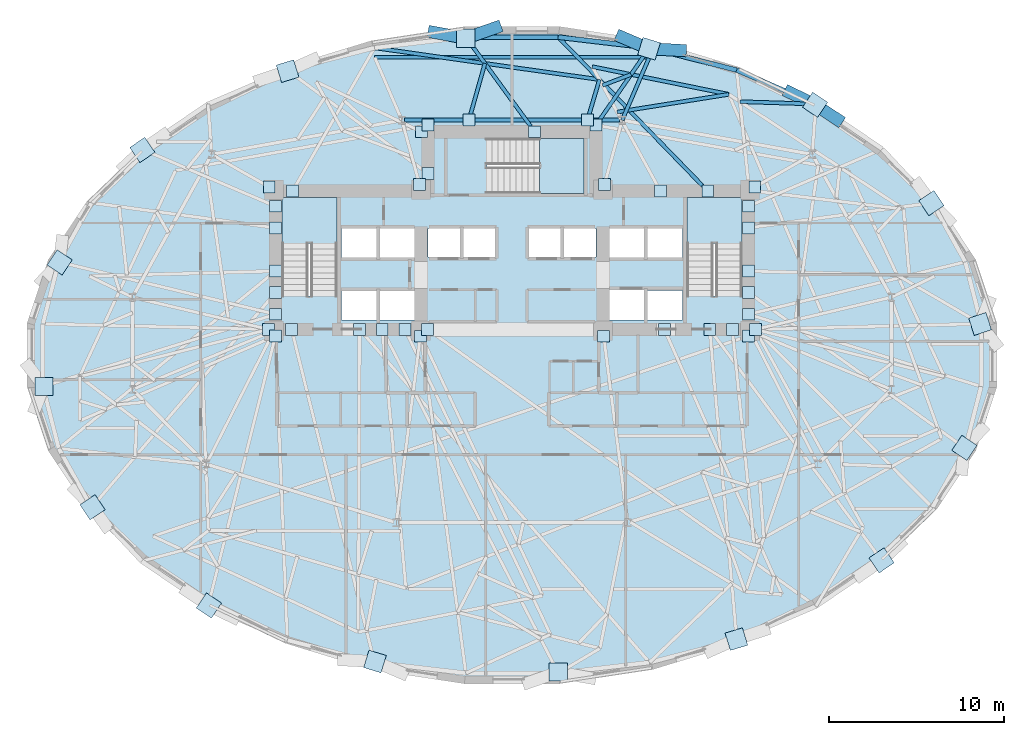
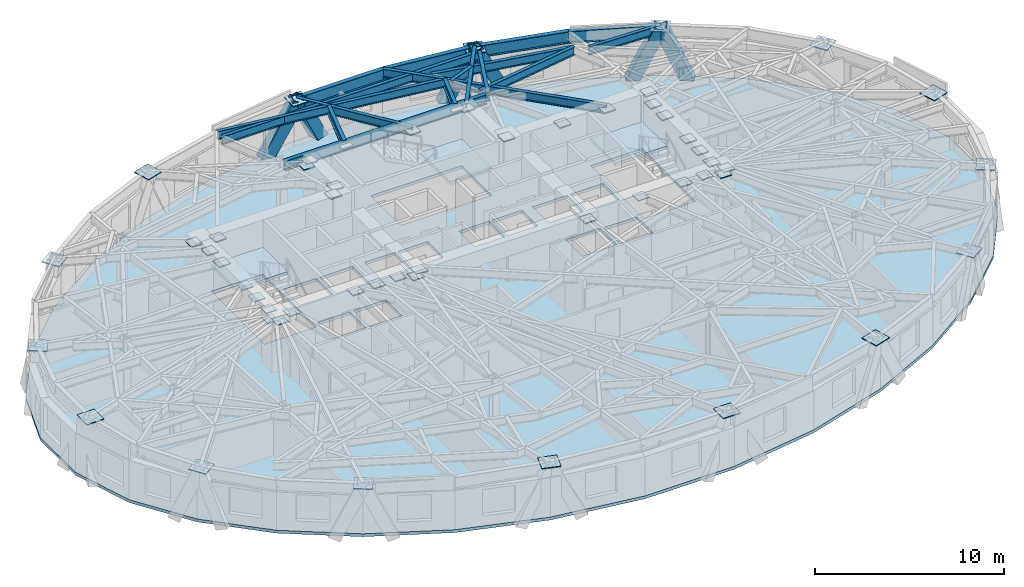
# One storey, part 5 of 15: 54 plates, 17 beams, 6 members, 4 slabs, 3 elements without a shape of their own.
"""IFC4 building model written with IfcOpenShell, lengths in metres."""

from ifc_helpers import new_model, si_unit, direction, frame, origin, origin_2d, place, context, subcontext, project, spatial, polyline, rectangle, hollow_rectangle, i_section, outline, extrude, material, layer, layer_set, material_profile, profile_set, type_object, element, aggregate, save


model = new_model("IFC4")

# Units and contexts
model_context = context("Model", 3, precision=1e-05, world=origin(), true_north=direction((0.0, 1.0)))
body_context = subcontext(model_context, "Body", "Model", "MODEL_VIEW")
ifc_project = project(units=[si_unit("LENGTHUNIT", "METRE"), si_unit("AREAUNIT", "SQUARE_METRE"), si_unit("VOLUMEUNIT", "CUBIC_METRE"), si_unit("PLANEANGLEUNIT", "RADIAN"), si_unit("MASSUNIT", "GRAM", prefix="KILO")], contexts=[model_context])

# Site, building, storey
site_placement = place(None, origin())
site = spatial("IfcSite", under=ifc_project, at=site_placement, CompositionType="ELEMENT")
building_placement = place(site_placement, origin())
building = spatial("IfcBuilding", under=site, at=building_placement, Name="Keldmark Tower", CompositionType="ELEMENT")
storey_placement = place(building_placement, frame((0.0, 0.0, 110.60009765625)))
storey = spatial("IfcBuildingStorey", under=building, at=storey_placement, Name="L29", CompositionType="ELEMENT", Elevation=110.60009765625)

# Members
ifc_material_1 = material(Name="Steel ASTM A572 Grade 50", Category="steel")
ifc_material_profile_1 = material_profile(ifc_material_1, hollow_rectangle(XDim=0.699951171875, YDim=0.699951171875, WallThickness=0.044921875, at=origin_2d()), Name="BOX700X700X45")
ifc_profile_set_1 = profile_set([ifc_material_profile_1], Name="Steel ASTM A572 Grade 50")
member_type = type_object("IfcMemberType", Name="Diagrid Zone 2 Brace BOX700X700X45", PredefinedType="BRACE", material=ifc_profile_set_1)
member_1_placement = place(storey_placement, frame((18.610107421875, 13.467529296875, -0.27001953125), z_axis=(-0.338507513586, 0.223844461737, 0.91395093971), x_axis=(-0.551579208252, -0.834122519192, 0.0)))
element("IfcMember", 1, at=member_1_placement, inside=storey, type_object=member_type, Name="L29 Perimeter Diagrid Brace 02B", PredefinedType="BRACE", context=body_context, shape_type="SweptSolid", body=[
    extrude(hollow_rectangle(XDim=0.699951171875, YDim=0.699951171875, WallThickness=0.044921875, at=origin_2d()), origin(), (0.0, 0.0, 1.0), 3.78564453125),
])
member_2_placement = place(storey_placement, frame((15.88330078125, 15.019287109375, -0.27001953125), z_axis=(0.380529823705, -0.18655803752, 0.905755569625), x_axis=(0.440202514339, 0.897898516743, 0.0)))
element("IfcMember", 2, at=member_2_placement, inside=storey, type_object=member_type, Name="L29 Perimeter Diagrid Brace 03A", PredefinedType="BRACE", context=body_context, shape_type="SweptSolid", body=[
    extrude(hollow_rectangle(XDim=0.699951171875, YDim=0.699951171875, WallThickness=0.044921875, at=origin_2d()), origin(), (0.0, 0.0, 1.0), 3.820068359375),
])
member_3_placement = place(storey_placement, frame((9.663818359375, 17.4228515625, -0.27001953125), z_axis=(-0.467417683019, 0.024256333871, 0.883703762506), x_axis=(-0.05182460814, -0.998656202099, 0.0)))
element("IfcMember", 3, at=member_3_placement, inside=storey, type_object=member_type, Name="L29 Perimeter Diagrid Brace 03B", PredefinedType="BRACE", context=body_context, shape_type="SweptSolid", body=[
    extrude(hollow_rectangle(XDim=0.699951171875, YDim=0.699951171875, WallThickness=0.044921875, at=origin_2d()), origin(), (0.0, 0.0, 1.0), 3.915283203125),
])
member_4_placement = place(storey_placement, frame((6.25634765625, 18.19189453125, -0.27001953125), z_axis=(0.410682770234, -0.175510853382, 0.894726551846), x_axis=(0.392980755483, 0.919546695834, 0.0)))
element("IfcMember", 4, at=member_4_placement, inside=storey, type_object=member_type, Name="L29 Perimeter Diagrid Brace 04A", PredefinedType="BRACE", context=body_context, shape_type="SweptSolid", body=[
    extrude(hollow_rectangle(XDim=0.699951171875, YDim=0.699951171875, WallThickness=0.044921875, at=origin_2d()), origin(), (0.0, 0.0, 1.0), 3.866943359375),
])
member_5_placement = place(storey_placement, frame((-0.915771484375, 18.728759765625, -0.27001953125), z_axis=(-0.442181208457, -0.154666795176, 0.883489649831), x_axis=(0.330166658122, -0.943922654599, 0.0)))
element("IfcMember", 5, at=member_5_placement, inside=storey, type_object=member_type, Name="L29 Perimeter Diagrid Brace 04B", PredefinedType="BRACE", context=body_context, shape_type="SweptSolid", body=[
    extrude(hollow_rectangle(XDim=0.699951171875, YDim=0.699951171875, WallThickness=0.044921875, at=origin_2d()), origin(), (0.0, 0.0, 1.0), 3.916259765625),
])
member_6_placement = place(storey_placement, frame((-4.495849609375, 18.458984375, -0.27001953125), z_axis=(0.471795800597, -0.085206854131, 0.877581058677), x_axis=(0.177725962091, 0.984080018291, 0.0)))
element("IfcMember", 6, at=member_6_placement, inside=storey, type_object=member_type, Name="L29 Perimeter Diagrid Brace 05A", PredefinedType="BRACE", context=body_context, shape_type="SweptSolid", body=[
    extrude(hollow_rectangle(XDim=0.699951171875, YDim=0.699951171875, WallThickness=0.044921875, at=origin_2d()), origin(), (0.0, 0.0, 1.0), 3.942626953125),
])

# Beams
ifc_material_2 = material(Name="Steel ASTM A992 Grade 50", Category="steel")
ifc_material_profile_2 = material_profile(ifc_material_2, i_section(OverallWidth=0.22900390625, OverallDepth=0.612060546875, WebThickness=0.011962890625, FlangeThickness=0.01953125, at=origin_2d()), Name="W24X84")
ifc_profile_set_2 = profile_set([ifc_material_profile_2], Name="Steel ASTM A992 Grade 50")
beam_type_1 = type_object("IfcBeamType", Name="Primary Floor Girder W24X84", PredefinedType="BEAM", material=ifc_profile_set_2)
beam_1_placement = place(storey_placement, frame((6.15869140625, 13.4326171875, 3.00390625), z_axis=(-1.0, 0.0, 0.0), x_axis=(0.0, -1.0, 0.0)))
element("IfcBeam", 7, at=beam_1_placement, inside=storey, type_object=beam_type_1, Name="L29 Floor Ring Girder FG-R03", PredefinedType="BEAM", context=body_context, shape_type="SweptSolid", body=[
    extrude(i_section(OverallWidth=0.22900390625, OverallDepth=0.612060546875, WebThickness=0.011962890625, FlangeThickness=0.01953125, at=origin_2d()), origin(), (0.0, 0.0, 1.0), 12.3173828125),
])
ifc_material_3 = material(Name="Steel ASTM A992 Grade 50", Category="steel")
ifc_material_profile_3 = material_profile(ifc_material_3, i_section(OverallWidth=0.2099609375, OverallDepth=0.537109375, WebThickness=0.010986328125, FlangeThickness=0.017333984375, at=origin_2d()), Name="W21X68")
ifc_profile_set_3 = profile_set([ifc_material_profile_3], Name="Steel ASTM A992 Grade 50")
beam_type_2 = type_object("IfcBeamType", Name="Radial Tie Girder W21X68", PredefinedType="BEAM", material=ifc_profile_set_3)
beam_2_placement = place(storey_placement, frame((12.3955078125, 14.91162109375, 3.04150390625), z_axis=(-0.987631814159, -0.156790942533, 0.0), x_axis=(0.156790942533, -0.987631814159, 0.0)))
element("IfcBeam", 8, at=beam_2_placement, inside=storey, type_object=beam_type_2, Name="L29 Framing Pin Header PH-010", PredefinedType="BEAM", context=body_context, shape_type="SweptSolid", body=[
    extrude(i_section(OverallWidth=0.2099609375, OverallDepth=0.537109375, WebThickness=0.010986328125, FlangeThickness=0.017333984375, at=origin_2d()), origin(), (0.0, 0.0, 1.0), 6.4619140625),
])
beam_3_placement = place(storey_placement, frame((12.3955078125, 14.91162109375, 3.04150390625), z_axis=(-0.980046180102, 0.198769929485, 0.0), x_axis=(-0.198769929485, -0.980046180102, 0.0)))
element("IfcBeam", 9, at=beam_3_placement, inside=storey, type_object=beam_type_2, Name="L29 Perimeter Collector Ring Beam CRG2-M02", PredefinedType="BEAM", context=body_context, shape_type="SweptSolid", body=[
    extrude(i_section(OverallWidth=0.2099609375, OverallDepth=0.537109375, WebThickness=0.010986328125, FlangeThickness=0.017333984375, at=origin_2d()), origin(), (0.0, 0.0, 1.0), 7.959228515625),
])
beam_4_placement = place(storey_placement, frame((17.375, 14.35302734375, 3.04150390625), z_axis=(-0.999486522283, 0.032042031367, 0.0), x_axis=(-0.032042031367, -0.999486522283, 0.0)))
element("IfcBeam", 10, at=beam_4_placement, inside=storey, type_object=beam_type_2, Name="L29 Framing Pin Header PH-021", PredefinedType="BEAM", context=body_context, shape_type="SweptSolid", body=[
    extrude(i_section(OverallWidth=0.2099609375, OverallDepth=0.537109375, WebThickness=0.010986328125, FlangeThickness=0.017333984375, at=origin_2d()), origin(), (0.0, 0.0, 1.0), 4.343017578125),
])
beam_5_placement = place(storey_placement, frame((5.1787109375, 15.42578125, 3.04150390625), z_axis=(0.934501065185, 0.3559603337, 0.0), x_axis=(-0.3559603337, 0.934501065185, 0.0)))
element("IfcBeam", 11, at=beam_5_placement, inside=storey, type_object=beam_type_2, Name="L29 Framing Pin Header PH-022", PredefinedType="BEAM", context=body_context, shape_type="SweptSolid", body=[
    extrude(i_section(OverallWidth=0.2099609375, OverallDepth=0.537109375, WebThickness=0.010986328125, FlangeThickness=0.017333984375, at=origin_2d()), origin(), (0.0, 0.0, 1.0), 1.74072265625),
])
beam_6_placement = place(storey_placement, frame((4.800048828125, 13.14990234375, 3.04150390625), z_axis=(0.569384658389, 0.822071232188, 0.0), x_axis=(-0.822071232188, 0.569384658389, 0.0)))
element("IfcBeam", 12, at=beam_6_placement, inside=storey, type_object=beam_type_2, Name="L29 Perimeter Radial Tie Girder RT-07", PredefinedType="BEAM", context=body_context, shape_type="SweptSolid", body=[
    extrude(i_section(OverallWidth=0.2099609375, OverallDepth=0.537109375, WebThickness=0.010986328125, FlangeThickness=0.017333984375, at=origin_2d()), origin(), (0.0, 0.0, 1.0), 5.377685546875),
])
beam_7_placement = place(storey_placement, frame((4.311279296875, 13.4326171875, 3.04150390625), z_axis=(0.28410892576, 0.958792009929, 0.0), x_axis=(-0.958792009929, 0.28410892576, 0.0)))
element("IfcBeam", 13, at=beam_7_placement, inside=storey, type_object=beam_type_2, Name="L29 Framing Pin Header PH-023", PredefinedType="BEAM", context=body_context, shape_type="SweptSolid", body=[
    extrude(i_section(OverallWidth=0.2099609375, OverallDepth=0.537109375, WebThickness=0.010986328125, FlangeThickness=0.017333984375, at=origin_2d()), origin(), (0.0, 0.0, 1.0), 2.421630859375),
])
beam_8_placement = place(storey_placement, frame((11.19287109375, 9.375, 3.04150390625), z_axis=(-0.696588617983, 0.717470764071, 0.0), x_axis=(-0.717470764071, -0.696588617983, 0.0)))
element("IfcBeam", 14, at=beam_8_placement, inside=storey, type_object=beam_type_2, Name="L29 Perimeter Radial Tie Girder RT-08", PredefinedType="BEAM", context=body_context, shape_type="SweptSolid", body=[
    extrude(i_section(OverallWidth=0.2099609375, OverallDepth=0.537109375, WebThickness=0.010986328125, FlangeThickness=0.017333984375, at=origin_2d()), origin(), (0.0, 0.0, 1.0), 12.27587890625),
])
beam_9_placement = place(storey_placement, frame((6.298828125, 13.4326171875, 3.04150390625), z_axis=(0.395437186935, 0.918493021851, 0.0), x_axis=(-0.918493021851, 0.395437186935, 0.0)))
element("IfcBeam", 15, at=beam_9_placement, inside=storey, type_object=beam_type_2, Name="L29 North Column Cantilever Girder East FG-TCN-E", PredefinedType="BEAM", context=body_context, shape_type="SweptSolid", body=[
    extrude(i_section(OverallWidth=0.2099609375, OverallDepth=0.537109375, WebThickness=0.010986328125, FlangeThickness=0.017333984375, at=origin_2d()), origin(), (0.0, 0.0, 1.0), 3.919921875),
])
beam_10_placement = place(storey_placement, frame((-7.848876953125, 17.032958984375, 3.04150390625), z_axis=(1.0, 0.0, 0.0), x_axis=(0.0, 1.0, 0.0)))
element("IfcBeam", 16, at=beam_10_placement, inside=storey, type_object=beam_type_2, Name="L29 North Outer Header Girder FG-TCN-H1", PredefinedType="BEAM", context=body_context, shape_type="SweptSolid", body=[
    extrude(i_section(OverallWidth=0.2099609375, OverallDepth=0.537109375, WebThickness=0.010986328125, FlangeThickness=0.017333984375, at=origin_2d()), origin(), (0.0, 0.0, 1.0), 15.69775390625),
])
beam_11_placement = place(storey_placement, frame((4.999267578125, 15.75439453125, 3.04150390625), z_axis=(-0.990173786715, 0.139842311563, 0.0), x_axis=(-0.139842311563, -0.990173786715, 0.0)))
element("IfcBeam", 17, at=beam_11_placement, inside=storey, type_object=beam_type_2, Name="L29 Straddling Support Chord RT-09RB", PredefinedType="BEAM", context=body_context, shape_type="SweptSolid", body=[
    extrude(i_section(OverallWidth=0.2099609375, OverallDepth=0.537109375, WebThickness=0.010986328125, FlangeThickness=0.017333984375, at=origin_2d()), origin(), (0.0, 0.0, 1.0), 12.989013671875),
])
beam_12_placement = place(storey_placement, frame((-2.46337890625, 13.4326171875, 3.04150390625), z_axis=(0.271632067837, 0.962401174003, 0.0), x_axis=(-0.962401174003, 0.271632067837, 0.0)))
element("IfcBeam", 18, at=beam_12_placement, inside=storey, type_object=beam_type_2, Name="L29 Framing Pin Header PH-047", PredefinedType="BEAM", context=body_context, shape_type="SweptSolid", body=[
    extrude(i_section(OverallWidth=0.2099609375, OverallDepth=0.537109375, WebThickness=0.010986328125, FlangeThickness=0.017333984375, at=origin_2d()), origin(), (0.0, 0.0, 1.0), 3.373046875),
])
beam_13_placement = place(storey_placement, frame((1.293701171875, 12.77490234375, 3.04150390625), z_axis=(-0.588408258005, 0.808563987518, 0.0), x_axis=(-0.808563987518, -0.588408258005, 0.0)))
element("IfcBeam", 19, at=beam_13_placement, inside=storey, type_object=beam_type_2, Name="L29 Perimeter Radial Tie Girder RT-09R", PredefinedType="BEAM", context=body_context, shape_type="SweptSolid", body=[
    extrude(i_section(OverallWidth=0.2099609375, OverallDepth=0.537109375, WebThickness=0.010986328125, FlangeThickness=0.017333984375, at=origin_2d()), origin(), (0.0, 0.0, 1.0), 6.68798828125),
])
ifc_material_4 = material(Name="Steel ASTM A992 Grade 50", Category="steel")
ifc_material_profile_4 = material_profile(ifc_material_4, i_section(OverallWidth=0.26806640625, OverallDepth=0.77001953125, WebThickness=0.015625, FlangeThickness=0.025390625, at=origin_2d()), Name="W30X132")
ifc_profile_set_4 = profile_set([ifc_material_profile_4], Name="Steel ASTM A992 Grade 50")
beam_type_3 = type_object("IfcBeamType", Name="Spandrel Ring Beam W30X132", PredefinedType="SPANDREL", material=ifc_profile_set_4)
beam_14_placement = place(storey_placement, frame((17.375, 14.35302734375, 2.9248046875), z_axis=(-0.918991161346, 0.394278131993, 0.0), x_axis=(-0.394278131993, -0.918991161346, 0.0)))
element("IfcBeam", 20, at=beam_14_placement, inside=storey, type_object=beam_type_3, Name="L29 Perimeter Spandrel Ring Beam SRB-05", PredefinedType="SPANDREL", context=body_context, shape_type="SweptSolid", body=[
    extrude(i_section(OverallWidth=0.26806640625, OverallDepth=0.77001953125, WebThickness=0.015625, FlangeThickness=0.025390625, at=origin_2d()), origin(), (0.0, 0.0, 1.0), 4.926513671875),
])
beam_15_placement = place(storey_placement, frame((12.84765625, 16.29541015625, 2.9248046875), z_axis=(-0.968802439575, 0.247834285507, 0.0), x_axis=(-0.247834285507, -0.968802439575, 0.0)))
element("IfcBeam", 21, at=beam_15_placement, inside=storey, type_object=beam_type_3, Name="L29 Perimeter Spandrel Ring Beam SRB-06", PredefinedType="SPANDREL", context=body_context, shape_type="SweptSolid", body=[
    extrude(i_section(OverallWidth=0.26806640625, OverallDepth=0.77001953125, WebThickness=0.015625, FlangeThickness=0.025390625, at=origin_2d()), origin(), (0.0, 0.0, 1.0), 5.146240234375),
])
beam_16_placement = place(storey_placement, frame((7.862060546875, 17.57080078125, 2.9248046875), z_axis=(-0.993202502633, 0.116399264444, 0.0), x_axis=(-0.116399264444, -0.993202502633, 0.0)))
element("IfcBeam", 22, at=beam_16_placement, inside=storey, type_object=beam_type_3, Name="L29 Perimeter Spandrel Ring Beam SRB-07", PredefinedType="SPANDREL", context=body_context, shape_type="SweptSolid", body=[
    extrude(i_section(OverallWidth=0.26806640625, OverallDepth=0.77001953125, WebThickness=0.015625, FlangeThickness=0.025390625, at=origin_2d()), origin(), (0.0, 0.0, 1.0), 5.256103515625),
])
beam_17_placement = place(storey_placement, frame((2.6416015625, 18.1826171875, 2.9248046875), z_axis=(-1.0, 0.0, 0.0), x_axis=(0.0, -1.0, 0.0)))
element("IfcBeam", 23, at=beam_17_placement, inside=storey, type_object=beam_type_3, Name="L29 Perimeter Spandrel Ring Beam SRB-08", PredefinedType="SPANDREL", context=body_context, shape_type="SweptSolid", body=[
    extrude(i_section(OverallWidth=0.26806640625, OverallDepth=0.77001953125, WebThickness=0.015625, FlangeThickness=0.025390625, at=origin_2d()), origin(), (0.0, 0.0, 1.0), 5.283203125),
])

# Plates
ifc_material_5 = material(Name="Steel ASTM A572 Grade 50", Category="steel")
ifc_layer_1 = layer(ifc_material_5, 0.06005859375)
ifc_layer_set_1 = layer_set([ifc_layer_1], Name="Steel ASTM A572 Grade 50")
plate_type_1 = type_object("IfcPlateType", Name="Belt Truss Kink Node Assembly KN01 60 mm", PredefinedType="USERDEFINED", material=ifc_layer_set_1)
for number, where, z_axis, x_axis, name in (
    (24, (13.91162109375, 1.473388671875, 3.01416015625), (0.0, 0.0, 1.0), (1.0, 0.0, 0.0), "L29 Core Wall Cast-In Embed Plate 808"),
    (25, (13.878173828125, 9.608154296875, 3.01416015625), (0.0, 0.0, 1.0), (1.0, 0.0, 0.0), "L29 Core Wall Cast-In Embed Plate 809"),
    (26, (5.28515625, 9.758544921875, 3.01416015625), (0.0, 0.0, 1.0), (1.0, 0.0, 0.0), "L29 Core Wall Cast-In Embed Plate 810"),
    (27, (-5.28515625, 9.758544921875, 3.01416015625), (0.0, 0.0, 1.0), (1.0, 0.0, 0.0), "L29 Core Wall Cast-In Embed Plate 811"),
    (28, (-13.878173828125, 9.608154296875, 3.01416015625), (0.0, 0.0, 1.0), (1.0, 0.0, 0.0), "L29 Core Wall Cast-In Embed Plate 812"),
    (29, (-13.91162109375, 1.473388671875, 3.01416015625), (0.0, 0.0, 1.0), (1.0, 0.0, 0.0), "L29 Core Wall Cast-In Embed Plate 813"),
    (30, (-5.24072265625, 1.08251953125, 3.01416015625), (0.0, 0.0, 1.0), (1.0, 0.0, 0.0), "L29 Core Wall Cast-In Embed Plate 814"),
    (31, (5.24072265625, 1.08251953125, 3.01416015625), (0.0, 0.0, 1.0), (1.0, 0.0, 0.0), "L29 Core Wall Cast-In Embed Plate 815"),
    (32, (4.800048828125, 13.14990234375, 3.01416015625), (0.0, 0.0, 1.0), (1.0, 0.0, 0.0), "L29 Core Wall Cast-In Embed Plate 816"),
    (33, (-4.800048828125, 13.14990234375, 3.01416015625), (0.0, 0.0, 1.0), (1.0, 0.0, 0.0), "L29 Core Wall Cast-In Embed Plate 817"),
    (34, (-7.41796875, 1.47509765625, 3.01416015625), (0.0, 0.0, 1.0), (1.0, 0.0, 0.0), "L29 Core Wall Cast-In Embed Plate 818"),
    (35, (8.485595703125, 9.375, 3.01416015625), (0.0, 0.0, 1.0), (1.0, 0.0, 0.0), "L29 Core Wall Cast-In Embed Plate 819"),
    (36, (13.52490234375, 1.10009765625, 3.01416015625), (0.0, 0.0, 1.0), (1.0, 0.0, 0.0), "L29 Core Wall Cast-In Embed Plate 820"),
    (37, (-8.71435546875, 1.47509765625, 3.01416015625), (0.0, 0.0, 1.0), (1.0, 0.0, 0.0), "L29 Core Wall Cast-In Embed Plate 821"),
    (38, (12.603515625, 1.47509765625, 3.01416015625), (0.0, 0.0, 1.0), (1.0, 0.0, 0.0), "L29 Core Wall Cast-In Embed Plate 822"),
    (39, (13.52490234375, 4.80712890625, 3.01416015625), (0.0, 0.0, 1.0), (1.0, 0.0, 0.0), "L29 Core Wall Cast-In Embed Plate 823"),
    (40, (13.52490234375, 2.335693359375, 3.01416015625), (0.0, 0.0, 1.0), (1.0, 0.0, 0.0), "L29 Core Wall Cast-In Embed Plate 824"),
    (41, (13.52490234375, 7.278564453125, 3.01416015625), (0.0, 0.0, 1.0), (1.0, 0.0, 0.0), "L29 Core Wall Cast-In Embed Plate 825"),
    (42, (13.52490234375, 8.514404296875, 3.01416015625), (0.0, 0.0, 1.0), (1.0, 0.0, 0.0), "L29 Core Wall Cast-In Embed Plate 826"),
    (43, (4.311279296875, 13.4326171875, 3.01416015625), (0.0, 0.0, 1.0), (1.0, 0.0, 0.0), "L29 Core Wall Cast-In Embed Plate 827"),
    (44, (11.19287109375, 9.375, 3.01416015625), (0.0, 0.0, 1.0), (1.0, 0.0, 0.0), "L29 Core Wall Cast-In Embed Plate 828"),
    (45, (-12.54638671875, 9.375, 3.01416015625), (0.0, 0.0, 1.0), (1.0, 0.0, 0.0), "L29 Core Wall Cast-In Embed Plate 829"),
    (46, (-5.175048828125, 12.77490234375, 3.01416015625), (0.0, 0.0, 1.0), (1.0, 0.0, 0.0), "L29 Core Wall Cast-In Embed Plate 830"),
    (47, (-4.800048828125, 10.38330078125, 3.01416015625), (0.0, 0.0, 1.0), (1.0, 0.0, 0.0), "L29 Core Wall Cast-In Embed Plate 831"),
    (48, (-13.52490234375, 8.514404296875, 3.01416015625), (0.0, 0.0, 1.0), (1.0, 0.0, 0.0), "L29 Core Wall Cast-In Embed Plate 832"),
    (49, (-13.52490234375, 7.278564453125, 3.01416015625), (0.0, 0.0, 1.0), (1.0, 0.0, 0.0), "L29 Core Wall Cast-In Embed Plate 833"),
    (50, (-13.52490234375, 4.80712890625, 3.01416015625), (0.0, 0.0, 1.0), (1.0, 0.0, 0.0), "L29 Core Wall Cast-In Embed Plate 834"),
    (51, (-13.52490234375, 2.335693359375, 3.01416015625), (0.0, 0.0, 1.0), (1.0, 0.0, 0.0), "L29 Core Wall Cast-In Embed Plate 835"),
    (52, (-13.52490234375, 1.10009765625, 3.01416015625), (0.0, 0.0, 1.0), (1.0, 0.0, 0.0), "L29 Core Wall Cast-In Embed Plate 836"),
    (53, (-12.603515625, 1.47509765625, 3.01416015625), (0.0, 0.0, 1.0), (1.0, 0.0, 0.0), "L29 Core Wall Cast-In Embed Plate 837"),
    (54, (-6.121337890625, 1.47509765625, 3.01416015625), (0.0, 0.0, 1.0), (1.0, 0.0, 0.0), "L29 Core Wall Cast-In Embed Plate 838"),
    (55, (8.71435546875, 1.47509765625, 3.01416015625), (0.0, 0.0, 1.0), (1.0, 0.0, 0.0), "L29 Core Wall Cast-In Embed Plate 839"),
    (56, (-4.824951171875, 1.47509765625, 3.01416015625), (0.0, 0.0, 1.0), (1.0, 0.0, 0.0), "L29 Core Wall Cast-In Embed Plate 840"),
    (57, (11.30712890625, 1.47509765625, 3.01416015625), (0.0, 0.0, 1.0), (1.0, 0.0, 0.0), "L29 Core Wall Cast-In Embed Plate 841"),
    (58, (13.52490234375, 3.5712890625, 3.01416015625), (0.0, 0.0, 1.0), (1.0, 0.0, 0.0), "L29 Core Wall Cast-In Embed Plate 842"),
    (59, (-2.46337890625, 13.4326171875, 3.01416015625), (0.0, 0.0, 1.0), (1.0, 0.0, 0.0), "L29 Core Wall Cast-In Embed Plate 843"),
    (60, (1.293701171875, 12.77490234375, 3.01416015625), (0.0, 0.0, 1.0), (1.0, 0.0, 0.0), "L29 Core Wall Cast-In Embed Plate 844"),
    (61, (-13.52490234375, 3.5712890625, 3.01416015625), (0.0, 0.0, 1.0), (1.0, 0.0, 0.0), "L29 Core Wall Cast-In Embed Plate 845"),
):
    element("IfcPlate", number, at=place(storey_placement, frame(where, z_axis=z_axis, x_axis=x_axis)), inside=storey, type_object=plate_type_1, Name=name, ObjectType="CAP PLATE", PredefinedType="USERDEFINED", context=body_context, shape_type="SweptSolid", body=[
        extrude(rectangle(XDim=0.679931640625, YDim=0.679931640625, at=origin_2d()), origin(), (0.0, 0.0, 1.0), 0.054931640625),
    ])
ifc_material_6 = material(Name="Steel ASTM A572 Grade 50", Category="steel")
ifc_layer_2 = layer(ifc_material_6, 0.054931640625)
ifc_layer_set_2 = layer_set([ifc_layer_2], Name="Steel ASTM A572 Grade 50")
plate_type_2 = type_object("IfcPlateType", Name="Diagrid Node Assembly DN03 55 mm", PredefinedType="USERDEFINED", material=ifc_layer_set_2)
for number, where, z_axis, x_axis, name in (
    (62, (26.7607421875, 1.784912109375, 3.16259765625), (0.0, 0.0, 1.0), (-0.314323848843, 0.949315815758, 0.0), "L29 Diagrid Node Assembly 01"),
    (63, (23.97900390625, 8.692626953125, 3.16259765625), (0.0, 0.0, 1.0), (-0.554263478737, 0.832341273841, 0.0), "L29 Diagrid Node Assembly 02"),
    (64, (17.32861328125, 14.31494140625, 3.16259765625), (0.0, 0.0, 1.0), (-0.827766671236, 0.56107248907, 0.0), "L29 Diagrid Node Assembly 04"),
    (65, (7.833740234375, 17.517822265625, 3.16259765625), (0.0, 0.0, 1.0), (-0.956202640726, 0.292705500237, 0.0), "L29 Diagrid Node Assembly 06"),
    (66, (-2.6474609375, 18.123046875, 3.16259765625), (0.0, 0.0, 1.0), (-1.0, 0.0, 0.0), "L29 Diagrid Node Assembly 08"),
    (67, (-12.830322265625, 16.23779296875, 3.16259765625), (0.0, 0.0, 1.0), (-0.956202640726, -0.292705500237, 0.0), "L29 Diagrid Node Assembly 10"),
    (68, (-21.13330078125, 11.73291015625, 3.16259765625), (0.0, 0.0, 1.0), (-0.827766671236, -0.56107248907, 0.0), "L29 Diagrid Node Assembly 12"),
    (69, (-25.86474609375, 5.3017578125, 3.16259765625), (0.0, 0.0, 1.0), (-0.554263478737, -0.832341273841, 0.0), "L29 Diagrid Node Assembly 14"),
    (70, (-26.7607421875, -1.796630859375, 3.16259765625), (0.0, 0.0, 1.0), (0.0, -1.0, 0.0), "L29 Diagrid Node Assembly 16"),
    (71, (-23.97900390625, -8.692626953125, 3.16259765625), (0.0, 0.0, 1.0), (0.554263478737, -0.832341273841, 0.0), "L29 Diagrid Node Assembly 18"),
    (72, (-17.32861328125, -14.31494140625, 3.16259765625), (0.0, 0.0, 1.0), (0.827766671236, -0.56107248907, 0.0), "L29 Diagrid Node Assembly 20"),
    (73, (-7.833740234375, -17.517822265625, 3.16259765625), (0.0, 0.0, 1.0), (0.956202640726, -0.292705500237, 0.0), "L29 Diagrid Node Assembly 22"),
    (74, (2.6474609375, -18.123046875, 3.16259765625), (0.0, 0.0, 1.0), (1.0, 0.0, 0.0), "L29 Diagrid Node Assembly 24"),
    (75, (12.830322265625, -16.23779296875, 3.16259765625), (0.0, 0.0, 1.0), (0.956202640726, 0.292705500237, 0.0), "L29 Diagrid Node Assembly 26"),
    (76, (21.13330078125, -11.73291015625, 3.16259765625), (0.0, 0.0, 1.0), (0.827766671236, 0.56107248907, 0.0), "L29 Diagrid Node Assembly 28"),
    (77, (25.86474609375, -5.3017578125, 3.16259765625), (0.0, 0.0, 1.0), (0.554263478737, 0.832341273841, 0.0), "L29 Diagrid Node Assembly 30"),
):
    element("IfcPlate", number, at=place(storey_placement, frame(where, z_axis=z_axis, x_axis=x_axis)), inside=storey, type_object=plate_type_2, Name=name, ObjectType="GUSSET", PredefinedType="USERDEFINED", context=body_context, shape_type="SweptSolid", body=[
        extrude(rectangle(XDim=1.0400390625, YDim=1.0400390625, at=origin_2d()), origin(), (0.0, 0.0, 1.0), 0.054931640625),
    ])

# Slab
ifc_material_7 = material(Name="Concrete C35/45", Category="concrete")
ifc_layer_3 = layer(ifc_material_7, 0.18994140625)
ifc_layer_set_3 = layer_set([ifc_layer_3], Name="Concrete C35/45")
slab_type_1 = type_object("IfcSlabType", Name="Mid-Rise Office Composite Slab 190 mm", PredefinedType="FLOOR", material=ifc_layer_set_3)
slab_1_placement = place(storey_placement, frame((0.0, 0.0, -0.190185546875)))
element("IfcSlab", 78, at=slab_1_placement, inside=storey, type_object=slab_type_1, Name="L29 Composite Structural Floor Slab", PredefinedType="FLOOR", context=body_context, shape_type="SweptSolid", body=[
    extrude(outline(polyline([(27.7158203125, 1.8505859375), (26.522705078125, 5.4541015625), (24.29296875, 8.802490234375), (21.189697265625, 11.78857421875), (17.389892578125, 14.3642578125), (12.98486328125, 16.468017578125), (8.045654296875, 17.9794921875), (2.729736328125, 18.788330078125), (-2.729736328125, 18.788330078125), (-8.045654296875, 17.9794921875), (-12.98486328125, 16.468017578125), (-17.389892578125, 14.3642578125), (-21.189697265625, 11.78857421875), (-24.29296875, 8.802490234375), (-26.522705078125, 5.4541015625), (-27.7158203125, 1.8505859375), (-27.7158203125, -1.8505859375), (-26.522705078125, -5.4541015625), (-24.29296875, -8.802490234375), (-21.189697265625, -11.78857421875), (-17.389892578125, -14.3642578125), (-12.98486328125, -16.468017578125), (-8.045654296875, -17.9794921875), (-2.729736328125, -18.788330078125), (2.729736328125, -18.788330078125), (8.045654296875, -17.9794921875), (12.98486328125, -16.468017578125), (17.389892578125, -14.3642578125), (21.189697265625, -11.78857421875), (24.29296875, -8.802490234375), (26.522705078125, -5.4541015625), (27.7158203125, -1.8505859375), (27.7158203125, 1.8505859375)]), holes=[polyline([(-10.0, 3.385009765625), (-10.0, 9.0), (-13.14990234375, 9.0), (-13.14990234375, 3.385009765625), (-10.0, 3.385009765625)]), polyline([(13.14990234375, 3.385009765625), (13.14990234375, 9.0), (10.0, 9.0), (10.0, 3.385009765625), (13.14990234375, 3.385009765625)]), polyline([(-1.43994140625, 9.25), (4.10498046875, 9.25), (4.10498046875, 12.39990234375), (-1.43994140625, 12.39990234375), (-1.43994140625, 9.25)]), polyline([(-9.75, 2.0), (-7.75, 2.0), (-7.75, 3.699951171875), (-9.75, 3.699951171875), (-9.75, 2.0)]), polyline([(7.75, 2.0), (9.75, 2.0), (9.75, 3.699951171875), (7.75, 3.699951171875), (7.75, 2.0)]), polyline([(5.449951171875, 2.0), (7.550048828125, 2.0), (7.550048828125, 3.75), (5.449951171875, 3.75), (5.449951171875, 2.0)]), polyline([(-4.800048828125, 5.60009765625), (-2.949951171875, 5.60009765625), (-2.949951171875, 7.25), (-4.800048828125, 7.25), (-4.800048828125, 5.60009765625)]), polyline([(-2.800048828125, 5.60009765625), (-0.949951171875, 5.60009765625), (-0.949951171875, 7.25), (-2.800048828125, 7.25), (-2.800048828125, 5.60009765625)]), polyline([(0.949951171875, 5.60009765625), (2.800048828125, 5.60009765625), (2.800048828125, 7.25), (0.949951171875, 7.25), (0.949951171875, 5.60009765625)]), polyline([(2.949951171875, 5.60009765625), (4.800048828125, 5.60009765625), (4.800048828125, 7.25), (2.949951171875, 7.25), (2.949951171875, 5.60009765625)]), polyline([(-9.75, 5.550048828125), (-7.75, 5.550048828125), (-7.75, 7.25), (-9.75, 7.25), (-9.75, 5.550048828125)]), polyline([(-7.550048828125, 5.550048828125), (-5.550048828125, 5.550048828125), (-5.550048828125, 7.25), (-7.550048828125, 7.25), (-7.550048828125, 5.550048828125)]), polyline([(-7.550048828125, 2.0), (-5.550048828125, 2.0), (-5.550048828125, 3.699951171875), (-7.550048828125, 3.699951171875), (-7.550048828125, 2.0)]), polyline([(5.449951171875, 5.550048828125), (7.550048828125, 5.550048828125), (7.550048828125, 7.25), (5.449951171875, 7.25), (5.449951171875, 5.550048828125)]), polyline([(7.75, 5.550048828125), (9.75, 5.550048828125), (9.75, 7.25), (7.75, 7.25), (7.75, 5.550048828125)])]), origin(), (0.0, 0.0, 1.0), 0.190185546875),
])

# Stair, slab
ifc_material_8 = material(Name="Concrete C40/50", Category="concrete")
stair_type = type_object("IfcStairType", Name="Precast Concrete Core Exit Stair", PredefinedType="HALF_TURN_STAIR", material=ifc_material_8)
stair_1_placement = place(storey_placement, origin())
stair_1 = element("IfcStair", 79, at=stair_1_placement, inside=storey, type_object=stair_type, Name="L29 Exit Stair ST1", PredefinedType="HALF_TURN_STAIR")
ifc_material_9 = material(Name="Concrete C40/50", Category="concrete")
ifc_layer_4 = layer(ifc_material_9, 0.199951171875)
ifc_layer_set_4 = layer_set([ifc_layer_4], Name="Concrete C40/50")
slab_type_2 = type_object("IfcSlabType", Name="Reinforced Concrete Stair Landing 200 mm", PredefinedType="LANDING", material=ifc_layer_set_4)
slab_2_placement = place(storey_placement, frame((0.0, 0.0, 1.5498046875)))
slab_2 = element("IfcSlab", 80, at=slab_2_placement, type_object=slab_type_2, Name="ST1 landing 1", PredefinedType="LANDING", context=body_context, shape_type="SweptSolid", body=[
    extrude(outline(polyline([(-10.0, 6.389892578125), (-10.0, 9.0), (-13.14990234375, 9.0), (-13.14990234375, 6.389892578125), (-10.0, 6.389892578125)])), origin(), (0.0, 0.0, 1.0), 0.2001953125),
])
aggregate(stair_1, [slab_2])

stair_2_placement = place(storey_placement, origin())
stair_2 = element("IfcStair", 81, at=stair_2_placement, inside=storey, type_object=stair_type, Name="L29 Exit Stair ST2", PredefinedType="HALF_TURN_STAIR")
slab_3_placement = place(storey_placement, frame((0.0, 0.0, 1.5498046875)))
slab_3 = element("IfcSlab", 82, at=slab_3_placement, type_object=slab_type_2, Name="ST2 landing 1", PredefinedType="LANDING", context=body_context, shape_type="SweptSolid", body=[
    extrude(outline(polyline([(13.14990234375, 6.389892578125), (13.14990234375, 9.0), (10.0, 9.0), (10.0, 6.389892578125), (13.14990234375, 6.389892578125)])), origin(), (0.0, 0.0, 1.0), 0.2001953125),
])
aggregate(stair_2, [slab_3])

stair_3_placement = place(storey_placement, origin())
stair_3 = element("IfcStair", 83, at=stair_3_placement, inside=storey, type_object=stair_type, Name="L29 Exit Stair ST3", PredefinedType="HALF_TURN_STAIR")
slab_4_placement = place(storey_placement, frame((0.0, 0.0, 1.5498046875)))
slab_4 = element("IfcSlab", 84, at=slab_4_placement, type_object=slab_type_2, Name="ST3 landing 1", PredefinedType="LANDING", context=body_context, shape_type="SweptSolid", body=[
    extrude(outline(polyline([(1.56494140625, 9.25), (4.10498046875, 9.25), (4.10498046875, 12.39990234375), (1.56494140625, 12.39990234375), (1.56494140625, 9.25)])), origin(), (0.0, 0.0, 1.0), 0.2001953125),
])
aggregate(stair_3, [slab_4])

save(model, "model.ifc")
